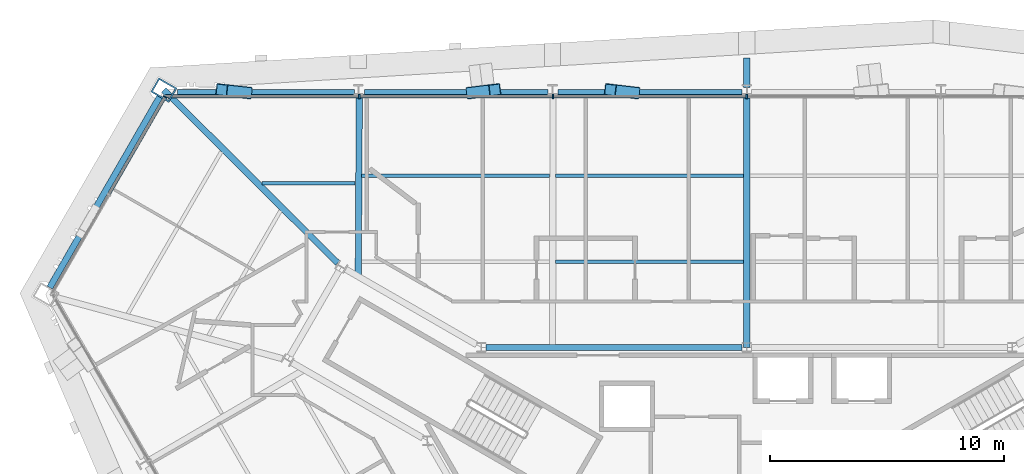
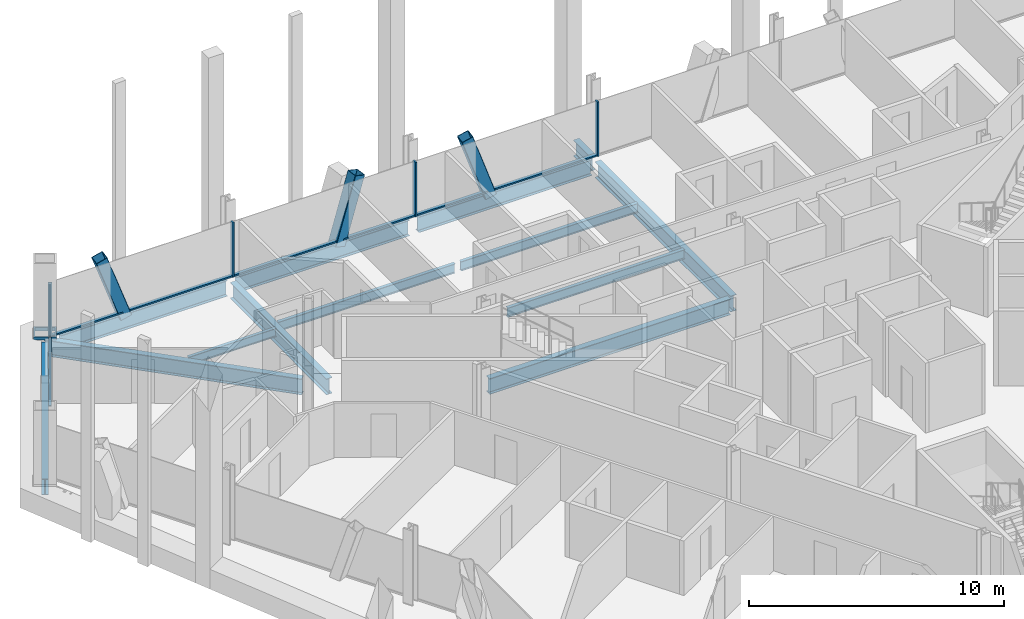
# One storey, part 7 of 17: 13 beams, 12 members, 2 elements without a shape of their own.
"""IFC4 building model written with IfcOpenShell, lengths in metres."""

from ifc_helpers import new_model, si_unit, direction, frame, origin, origin_2d, place, context, subcontext, project, spatial, rectangle, hollow_rectangle, i_section, extrude, material, material_profile, profile_set, type_object, element, aggregate, save


model = new_model("IFC4")

# Units and contexts
model_context = context("Model", 3, precision=1e-05, world=origin(), true_north=direction((0.0, 1.0)))
body_context = subcontext(model_context, "Body", "Model", "MODEL_VIEW")
ifc_project = project(units=[si_unit("LENGTHUNIT", "METRE"), si_unit("AREAUNIT", "SQUARE_METRE"), si_unit("VOLUMEUNIT", "CUBIC_METRE"), si_unit("PLANEANGLEUNIT", "RADIAN"), si_unit("MASSUNIT", "GRAM", prefix="KILO")], contexts=[model_context])

# Site, building, storey
site_placement = place(None, origin())
site = spatial("IfcSite", under=ifc_project, at=site_placement, CompositionType="ELEMENT")
building_placement = place(site_placement, origin())
building = spatial("IfcBuilding", under=site, at=building_placement, Name="Verrane Prism Tower", CompositionType="ELEMENT")
storey_placement = place(building_placement, frame((0.0, 0.0, 132.39990234375)))
storey = spatial("IfcBuildingStorey", under=building, at=storey_placement, Name="L32", CompositionType="ELEMENT", Elevation=132.39990234375)

# Beams
ifc_material_1 = material(Name="Steel A992", Category="steel")
ifc_material_profile_1 = material_profile(ifc_material_1, i_section(OverallWidth=0.2666015625, OverallDepth=0.76708984375, WebThickness=0.014892578125, FlangeThickness=0.023681640625, FilletRadius=0.0166015625, at=origin_2d()), Name="W30x124")
ifc_profile_set_1 = profile_set([ifc_material_profile_1], Name="Steel A992")
beam_type_1 = type_object("IfcBeamType", Name="Chamfer spandrel beam W30x124", PredefinedType="SPANDREL", material=ifc_profile_set_1)
beam_1_placement = place(storey_placement, frame((-25.0546875, 19.88671875, -0.54345703125), z_axis=(-0.499562619687, -0.866277778205, 0.0), x_axis=(0.866277778205, -0.499562619687, 0.0)))
element("IfcBeam", 1, at=beam_1_placement, inside=storey, type_object=beam_type_1, Name="Chamfer spandrel beam L32", PredefinedType="SPANDREL", context=body_context, shape_type="SweptSolid", body=[
    extrude(i_section(OverallWidth=0.2666015625, OverallDepth=0.76708984375, WebThickness=0.014892578125, FlangeThickness=0.023681640625, FilletRadius=0.0166015625, at=origin_2d()), origin(), (0.0, 0.0, 1.0), 9.38916015625),
])
ifc_material_2 = material(Name="Steel A992", Category="steel")
ifc_material_profile_2 = material_profile(ifc_material_2, i_section(OverallWidth=0.2666015625, OverallDepth=0.7568359375, WebThickness=0.013916015625, FlangeThickness=0.019287109375, FilletRadius=0.0166015625, at=origin_2d()), Name="W30x108")
ifc_profile_set_2 = profile_set([ifc_material_profile_2], Name="Steel A992")
beam_type_2 = type_object("IfcBeamType", Name="Core ring girder W30x108", PredefinedType="BEAM", material=ifc_profile_set_2)
beam_2_placement = place(storey_placement, frame((-0.20068359375, 9.199951171875, -0.62841796875), z_axis=(-1.0, 0.0, 0.0), x_axis=(0.0, -1.0, 0.0)))
element("IfcBeam", 2, at=beam_2_placement, inside=storey, type_object=beam_type_2, Name="Core ring girder L32", PredefinedType="BEAM", context=body_context, shape_type="SweptSolid", body=[
    extrude(i_section(OverallWidth=0.2666015625, OverallDepth=0.7568359375, WebThickness=0.013916015625, FlangeThickness=0.019287109375, FilletRadius=0.0166015625, at=origin_2d()), origin(), (0.0, 0.0, 1.0), 10.9287109375),
])
ifc_material_3 = material(Name="Steel A992", Category="steel")
ifc_material_profile_3 = material_profile(ifc_material_3, i_section(OverallWidth=0.2666015625, OverallDepth=0.76708984375, WebThickness=0.014892578125, FlangeThickness=0.023681640625, FilletRadius=0.0166015625, at=origin_2d()), Name="W30x124")
ifc_profile_set_3 = profile_set([ifc_material_profile_3], Name="Steel A992")
beam_type_3 = type_object("IfcBeamType", Name="Corner girder W30x124", PredefinedType="BEAM", material=ifc_profile_set_3)
beam_3_placement = place(storey_placement, frame((-24.87744140625, 20.1875, -0.603515625), z_axis=(0.708504451499, -0.705706342756, 0.0), x_axis=(0.705706342756, 0.708504451499, 0.0)))
element("IfcBeam", 3, at=beam_3_placement, inside=storey, type_object=beam_type_3, Name="Corner girder L32", PredefinedType="BEAM", context=body_context, shape_type="SweptSolid", body=[
    extrude(i_section(OverallWidth=0.2666015625, OverallDepth=0.76708984375, WebThickness=0.014892578125, FlangeThickness=0.023681640625, FilletRadius=0.0166015625, at=origin_2d()), origin(), (0.0, 0.0, 1.0), 10.47021484375),
])

# Members
ifc_material_4 = material(Name="Steel A1085 Grade A", Category="steel")
ifc_material_profile_4 = material_profile(ifc_material_4, hollow_rectangle(XDim=0.508056640625, YDim=0.508056640625, WallThickness=0.025390625, InnerFilletRadius=0.0126953125, OuterFilletRadius=0.0380859375, at=origin_2d()), Name="HSS20x20x1")
ifc_profile_set_4 = profile_set([ifc_material_profile_4], Name="Steel A1085 Grade A")
member_type_1 = type_object("IfcMemberType", Name="Facade brace HSS20x20x1", PredefinedType="BRACE", material=ifc_profile_set_4)
member_1_placement = place(storey_placement, frame((-4.822998046875, 20.0712890625, -0.242431640625), z_axis=(-0.315244426723, 0.037404490085, 0.948273091225), x_axis=(-0.117825844101, -0.993034274565, 0.0)))
element("IfcMember", 4, at=member_1_placement, inside=storey, type_object=member_type_1, Name="Facade brace N3 L32", PredefinedType="BRACE", context=body_context, shape_type="SweptSolid", body=[
    extrude(hollow_rectangle(XDim=0.508056640625, YDim=0.508056640625, WallThickness=0.025390625, InnerFilletRadius=0.0126953125, OuterFilletRadius=0.0380859375, at=origin_2d()), origin(), (0.0, 0.0, 1.0), 3.172119140625),
])
member_2_placement = place(storey_placement, frame((-11.716064453125, 20.0712890625, -0.242431640625), z_axis=(0.304580501123, 0.037541497222, 0.951746475865), x_axis=(-0.122330674026, 0.992489398529, 0.0)))
element("IfcMember", 5, at=member_2_placement, inside=storey, type_object=member_type_1, Name="Facade brace N4 L32", PredefinedType="BRACE", context=body_context, shape_type="SweptSolid", body=[
    extrude(hollow_rectangle(XDim=0.508056640625, YDim=0.508056640625, WallThickness=0.025390625, InnerFilletRadius=0.0126953125, OuterFilletRadius=0.0380859375, at=origin_2d()), origin(), (0.0, 0.0, 1.0), 3.16064453125),
])
member_3_placement = place(storey_placement, frame((-21.365966796875, 20.0712890625, -0.242431640625), z_axis=(-0.326612329681, 0.037252661869, 0.944423964798), x_axis=(-0.113322995926, -0.993558200909, 0.0)))
element("IfcMember", 6, at=member_3_placement, inside=storey, type_object=member_type_1, Name="Facade brace N5 L32", PredefinedType="BRACE", context=body_context, shape_type="SweptSolid", body=[
    extrude(hollow_rectangle(XDim=0.508056640625, YDim=0.508056640625, WallThickness=0.025390625, InnerFilletRadius=0.0126953125, OuterFilletRadius=0.0380859375, at=origin_2d()), origin(), (0.0, 0.0, 1.0), 3.18505859375),
])

# Beams
ifc_material_5 = material(Name="Steel A992", Category="steel")
ifc_material_profile_5 = material_profile(ifc_material_5, i_section(OverallWidth=0.140380859375, OverallDepth=0.40380859375, WebThickness=0.007080078125, FlangeThickness=0.01123046875, FilletRadius=0.01025390625, at=origin_2d()), Name="W16x31")
ifc_profile_set_5 = profile_set([ifc_material_profile_5], Name="Steel A992")
beam_type_4 = type_object("IfcBeamType", Name="Floor beam W16x31", PredefinedType="BEAM", material=ifc_profile_set_5)
beam_4_placement = place(storey_placement, frame((-20.695068359375, 16.2099609375, -0.36181640625), z_axis=(1.0, 0.0, 0.0), x_axis=(0.0, 1.0, 0.0)))
element("IfcBeam", 7, at=beam_4_placement, inside=storey, type_object=beam_type_4, Name="Floor beam L32", PredefinedType="BEAM", context=body_context, shape_type="SweptSolid", body=[
    extrude(i_section(OverallWidth=0.140380859375, OverallDepth=0.40380859375, WebThickness=0.007080078125, FlangeThickness=0.01123046875, FilletRadius=0.01025390625, at=origin_2d()), origin(), (0.0, 0.0, 1.0), 3.981689453125),
])
ifc_material_6 = material(Name="Steel A992", Category="steel")
ifc_material_profile_6 = material_profile(ifc_material_6, i_section(OverallWidth=0.15234375, OverallDepth=0.449462890625, WebThickness=0.007568359375, FlangeThickness=0.0107421875, FilletRadius=0.01025390625, at=origin_2d()), Name="W18x35")
ifc_profile_set_6 = profile_set([ifc_material_profile_6], Name="Steel A992")
beam_type_5 = type_object("IfcBeamType", Name="Floor beam W18x35", PredefinedType="BEAM", material=ifc_profile_set_6)
for number, where, z_axis, x_axis, name in (
    (8, (-8.156494140625, 12.86328125, -0.384765625), (1.0, 0.0, 0.0), (0.0, 1.0, 0.0), "Floor beam L32"),
    (9, (-8.156494140625, 16.526611328125, -0.384765625), (1.0, 0.0, 0.0), (0.0, 1.0, 0.0), "Floor beam L32"),
    (10, (-16.446533203125, 16.526611328125, -0.384765625), (1.0, 0.0, 0.0), (0.0, 1.0, 0.0), "Floor beam L32"),
):
    element("IfcBeam", number, at=place(storey_placement, frame(where, z_axis=z_axis, x_axis=x_axis)), inside=storey, type_object=beam_type_5, Name=name, PredefinedType="BEAM", context=body_context, shape_type="SweptSolid", body=[
        extrude(i_section(OverallWidth=0.15234375, OverallDepth=0.449462890625, WebThickness=0.007568359375, FlangeThickness=0.0107421875, FilletRadius=0.01025390625, at=origin_2d()), origin(), (0.0, 0.0, 1.0), 8.02294921875),
    ])

# Member
ifc_material_7 = material(Name="Steel A572 Grade 50", Category="steel")
ifc_material_profile_7 = material_profile(ifc_material_7, hollow_rectangle(XDim=0.699951171875, YDim=0.89990234375, WallThickness=0.06494140625, at=origin_2d()), Name="BOX 900x700x65")
ifc_profile_set_7 = profile_set([ifc_material_profile_7], Name="Steel A572 Grade 50")
member_type_2 = type_object("IfcMemberType", Name="Kink node BOX 900x700x65", PredefinedType="COLLAR", material=ifc_profile_set_7)
member_4_placement = place(storey_placement, frame((-24.875732421875, 20.1826171875, -0.074951171875), z_axis=(0.0, 0.0, 1.0), x_axis=(0.5, 0.866025403784, 0.0)))
element("IfcMember", 11, at=member_4_placement, inside=storey, type_object=member_type_2, Name="Kink node MC3 L32", PredefinedType="COLLAR", context=body_context, shape_type="SweptSolid", body=[
    extrude(hollow_rectangle(XDim=0.699951171875, YDim=0.89990234375, WallThickness=0.06494140625, at=origin_2d()), origin(), (0.0, 0.0, 1.0), 0.150146484375),
])

# Curtain wall, member
ifc_material_8 = material(Name="Aluminium framed insulated glazing", Category="aluminium")
curtain_wall_type_1 = type_object("IfcCurtainWallType", Name="Curtain wall CW-B 5600 module", PredefinedType="NOTDEFINED", material=ifc_material_8)
curtain_wall_1_placement = place(storey_placement, origin())
curtain_wall_1 = element("IfcCurtainWall", 12, at=curtain_wall_1_placement, inside=storey, type_object=curtain_wall_type_1, Name="Glazed curtain wall north-west corner L32", PredefinedType="NOTDEFINED")
ifc_material_9 = material(Name="Aluminium alloy 6063-T6", Category="aluminium")
ifc_material_profile_8 = material_profile(ifc_material_9, rectangle(XDim=0.159912109375, YDim=0.06005859375, at=origin_2d()), Name="Mullion 60x160 aluminium")
ifc_profile_set_8 = profile_set([ifc_material_profile_8], Name="Aluminium alloy 6063-T6")
member_type_3 = type_object("IfcMemberType", Name="Mullion 60x160 aluminium", PredefinedType="MULLION", material=ifc_profile_set_8)
member_5_placement = place(storey_placement, frame((-24.818115234375, 19.885009765625, 0.0), z_axis=(0.0, 0.0, 1.0), x_axis=(0.866027551544, -0.499996279953, 0.0)))
member_5 = element("IfcMember", 13, at=member_5_placement, type_object=member_type_3, Name="CW32.3 mullion 1", PredefinedType="MULLION", context=body_context, shape_type="SweptSolid", body=[
    extrude(rectangle(XDim=0.159912109375, YDim=0.06005859375, at=origin_2d()), origin(), (0.0, 0.0, 1.0), 2.613037109375),
])

# Curtain wall, members
ifc_material_10 = material(Name="Aluminium framed insulated glazing", Category="aluminium")
curtain_wall_type_2 = type_object("IfcCurtainWallType", Name="Curtain wall CW-A 8400 module", PredefinedType="NOTDEFINED", material=ifc_material_10)
curtain_wall_2_placement = place(storey_placement, origin())
curtain_wall_2 = element("IfcCurtainWall", 14, at=curtain_wall_2_placement, inside=storey, type_object=curtain_wall_type_2, Name="Glazed curtain wall north face L32", PredefinedType="NOTDEFINED")
ifc_material_11 = material(Name="Aluminium alloy 6063-T6", Category="aluminium")
ifc_material_profile_9 = material_profile(ifc_material_11, rectangle(XDim=0.199951171875, YDim=0.070068359375, at=origin_2d()), Name="Mullion 70x200 aluminium")
ifc_profile_set_9 = profile_set([ifc_material_profile_9], Name="Aluminium alloy 6063-T6")
member_type_4 = type_object("IfcMemberType", Name="Mullion 70x200 aluminium", PredefinedType="MULLION", material=ifc_profile_set_9)
member_6_placement = place(storey_placement, frame((0.0, 19.910888671875, 0.0), z_axis=(0.0, 0.0, 1.0), x_axis=(0.0, -1.0, 0.0)))
member_6 = element("IfcMember", 15, at=member_6_placement, type_object=member_type_4, Name="CW32.2 mullion 4", PredefinedType="MULLION", context=body_context, shape_type="SweptSolid", body=[
    extrude(rectangle(XDim=0.199951171875, YDim=0.070068359375, at=origin_2d()), origin(), (0.0, 0.0, 1.0), 2.613037109375),
])
member_7_placement = place(storey_placement, frame((-8.267578125, 19.910888671875, 0.0), z_axis=(0.0, 0.0, 1.0), x_axis=(0.0, -1.0, 0.0)))
member_7 = element("IfcMember", 16, at=member_7_placement, type_object=member_type_4, Name="CW32.2 mullion 5", PredefinedType="MULLION", context=body_context, shape_type="SweptSolid", body=[
    extrude(rectangle(XDim=0.199951171875, YDim=0.070068359375, at=origin_2d()), origin(), (0.0, 0.0, 1.0), 2.613037109375),
])
member_8_placement = place(storey_placement, frame((-16.535400390625, 19.910888671875, 0.0), z_axis=(0.0, 0.0, 1.0), x_axis=(0.0, -1.0, 0.0)))
member_8 = element("IfcMember", 17, at=member_8_placement, type_object=member_type_4, Name="CW32.2 mullion 6", PredefinedType="MULLION", context=body_context, shape_type="SweptSolid", body=[
    extrude(rectangle(XDim=0.199951171875, YDim=0.070068359375, at=origin_2d()), origin(), (0.0, 0.0, 1.0), 2.613037109375),
])

# Beams
ifc_material_12 = material(Name="Steel A992", Category="steel")
ifc_material_profile_10 = material_profile(ifc_material_12, i_section(OverallWidth=0.2666015625, OverallDepth=0.76708984375, WebThickness=0.014892578125, FlangeThickness=0.023681640625, FilletRadius=0.0166015625, at=origin_2d()), Name="W30x124")
ifc_profile_set_10 = profile_set([ifc_material_profile_10], Name="Steel A992")
beam_type_6 = type_object("IfcBeamType", Name="Radial girder W30x124", PredefinedType="BEAM", material=ifc_profile_set_10)
beam_5_placement = place(storey_placement, frame((0.0, 19.843994140625, -0.603515625), z_axis=(0.0, -1.0, 0.0), x_axis=(1.0, 0.0, 0.0)))
element("IfcBeam", 18, at=beam_5_placement, inside=storey, type_object=beam_type_6, Name="Radial girder L32", PredefinedType="BEAM", context=body_context, shape_type="SweptSolid", body=[
    extrude(i_section(OverallWidth=0.2666015625, OverallDepth=0.76708984375, WebThickness=0.014892578125, FlangeThickness=0.023681640625, FilletRadius=0.0166015625, at=origin_2d()), origin(), (0.0, 0.0, 1.0), 10.64404296875),
])
beam_6_placement = place(storey_placement, frame((-16.53564453125, 19.843994140625, -0.603515625), z_axis=(-0.005831925688, -0.999982994177, 0.0), x_axis=(0.999982994177, -0.005831925688, 0.0)))
element("IfcBeam", 19, at=beam_6_placement, inside=storey, type_object=beam_type_6, Name="Radial girder L32", PredefinedType="BEAM", context=body_context, shape_type="SweptSolid", body=[
    extrude(i_section(OverallWidth=0.2666015625, OverallDepth=0.76708984375, WebThickness=0.014892578125, FlangeThickness=0.023681640625, FilletRadius=0.0166015625, at=origin_2d()), origin(), (0.0, 0.0, 1.0), 7.619140625),
])
beam_7_placement = place(storey_placement, frame((0.0, 20.294677734375, -0.603515625), z_axis=(0.0, 1.0, 0.0), x_axis=(-1.0, 0.0, 0.0)))
element("IfcBeam", 20, at=beam_7_placement, inside=storey, type_object=beam_type_6, Name="Cantilever girder L32", PredefinedType="BEAM", context=body_context, shape_type="SweptSolid", body=[
    extrude(i_section(OverallWidth=0.2666015625, OverallDepth=0.76708984375, WebThickness=0.014892578125, FlangeThickness=0.023681640625, FilletRadius=0.0166015625, at=origin_2d()), origin(), (0.0, 0.0, 1.0), 1.257080078125),
])
ifc_material_13 = material(Name="Steel A992", Category="steel")
ifc_material_profile_11 = material_profile(ifc_material_13, i_section(OverallWidth=0.2666015625, OverallDepth=0.7568359375, WebThickness=0.013916015625, FlangeThickness=0.019287109375, FilletRadius=0.0166015625, at=origin_2d()), Name="W30x108")
ifc_profile_set_11 = profile_set([ifc_material_profile_11], Name="Steel A992")
beam_type_7 = type_object("IfcBeamType", Name="Spandrel beam W30x108", PredefinedType="SPANDREL", material=ifc_profile_set_11)
beam_8_placement = place(storey_placement, frame((-0.20947265625, 20.0712890625, -0.538330078125), z_axis=(-1.0, 0.0, 0.0), x_axis=(0.0, -1.0, 0.0)))
element("IfcBeam", 21, at=beam_8_placement, inside=storey, type_object=beam_type_7, Name="Spandrel beam L32", PredefinedType="SPANDREL", context=body_context, shape_type="SweptSolid", body=[
    extrude(i_section(OverallWidth=0.2666015625, OverallDepth=0.7568359375, WebThickness=0.013916015625, FlangeThickness=0.019287109375, FilletRadius=0.0166015625, at=origin_2d()), origin(), (0.0, 0.0, 1.0), 7.84912109375),
])
beam_9_placement = place(storey_placement, frame((-8.4775390625, 20.0712890625, -0.538330078125), z_axis=(-1.0, 0.0, 0.0), x_axis=(0.0, -1.0, 0.0)))
element("IfcBeam", 22, at=beam_9_placement, inside=storey, type_object=beam_type_7, Name="Spandrel beam L32", PredefinedType="SPANDREL", context=body_context, shape_type="SweptSolid", body=[
    extrude(i_section(OverallWidth=0.2666015625, OverallDepth=0.7568359375, WebThickness=0.013916015625, FlangeThickness=0.019287109375, FilletRadius=0.0166015625, at=origin_2d()), origin(), (0.0, 0.0, 1.0), 7.84716796875),
])
beam_10_placement = place(storey_placement, frame((-16.743896484375, 20.0712890625, -0.538330078125), z_axis=(-1.0, 0.0, 0.0), x_axis=(0.0, -1.0, 0.0)))
element("IfcBeam", 23, at=beam_10_placement, inside=storey, type_object=beam_type_7, Name="Spandrel beam L32", PredefinedType="SPANDREL", context=body_context, shape_type="SweptSolid", body=[
    extrude(i_section(OverallWidth=0.2666015625, OverallDepth=0.7568359375, WebThickness=0.013916015625, FlangeThickness=0.019287109375, FilletRadius=0.0166015625, at=origin_2d()), origin(), (0.0, 0.0, 1.0), 7.547119140625),
])

# Member
ifc_material_14 = material(Name="Aluminium alloy 6063-T6", Category="aluminium")
ifc_material_profile_12 = material_profile(ifc_material_14, rectangle(XDim=0.1201171875, YDim=0.06005859375, at=origin_2d()), Name="Transom 60x120 aluminium")
ifc_profile_set_12 = profile_set([ifc_material_profile_12], Name="Aluminium alloy 6063-T6")
member_type_5 = type_object("IfcMemberType", Name="Transom 60x120 aluminium", PredefinedType="USERDEFINED", material=ifc_profile_set_12)
member_9_placement = place(storey_placement, frame((-24.8330078125, 19.859130859375, 0.030029296875), z_axis=(-0.499984838248, -0.866034157249, 0.0), x_axis=(0.866034157249, -0.499984838248, 0.0)))
member_9 = element("IfcMember", 24, at=member_9_placement, type_object=member_type_5, Name="CW32.3 transom 1", ObjectType="TRANSOM", PredefinedType="USERDEFINED", context=body_context, shape_type="SweptSolid", body=[
    extrude(rectangle(XDim=0.1201171875, YDim=0.06005859375, at=origin_2d()), origin(), (0.0, 0.0, 1.0), 4.752197265625),
])

aggregate(curtain_wall_1, [member_5, member_9])

ifc_material_15 = material(Name="Aluminium alloy 6063-T6", Category="aluminium")
ifc_material_profile_13 = material_profile(ifc_material_15, rectangle(XDim=0.14990234375, YDim=0.070068359375, at=origin_2d()), Name="Transom 70x150 aluminium")
ifc_profile_set_13 = profile_set([ifc_material_profile_13], Name="Aluminium alloy 6063-T6")
member_type_6 = type_object("IfcMemberType", Name="Transom 70x150 aluminium", PredefinedType="USERDEFINED", material=ifc_profile_set_13)
member_10_placement = place(storey_placement, frame((-0.034912109375, 19.910888671875, 0.03515625), z_axis=(-1.0, 0.0, 0.0), x_axis=(0.0, -1.0, 0.0)))
member_10 = element("IfcMember", 25, at=member_10_placement, type_object=member_type_6, Name="CW32.2 transom 4", ObjectType="TRANSOM", PredefinedType="USERDEFINED", context=body_context, shape_type="SweptSolid", body=[
    extrude(rectangle(XDim=0.14990234375, YDim=0.070068359375, at=origin_2d()), origin(), (0.0, 0.0, 1.0), 8.19775390625),
])

member_11_placement = place(storey_placement, frame((-8.302734375, 19.910888671875, 0.03515625), z_axis=(-1.0, 0.0, 0.0), x_axis=(0.0, -1.0, 0.0)))
member_11 = element("IfcMember", 26, at=member_11_placement, type_object=member_type_6, Name="CW32.2 transom 5", ObjectType="TRANSOM", PredefinedType="USERDEFINED", context=body_context, shape_type="SweptSolid", body=[
    extrude(rectangle(XDim=0.14990234375, YDim=0.070068359375, at=origin_2d()), origin(), (0.0, 0.0, 1.0), 8.197509765625),
])

member_12_placement = place(storey_placement, frame((-16.5703125, 19.910888671875, 0.03515625), z_axis=(-1.0, 0.0, 0.0), x_axis=(0.0, -1.0, 0.0)))
member_12 = element("IfcMember", 27, at=member_12_placement, type_object=member_type_6, Name="CW32.2 transom 6", ObjectType="TRANSOM", PredefinedType="USERDEFINED", context=body_context, shape_type="SweptSolid", body=[
    extrude(rectangle(XDim=0.14990234375, YDim=0.070068359375, at=origin_2d()), origin(), (0.0, 0.0, 1.0), 8.232666015625),
])

aggregate(curtain_wall_2, [member_6, member_7, member_8, member_10, member_11, member_12])

save(model, "model.ifc")
